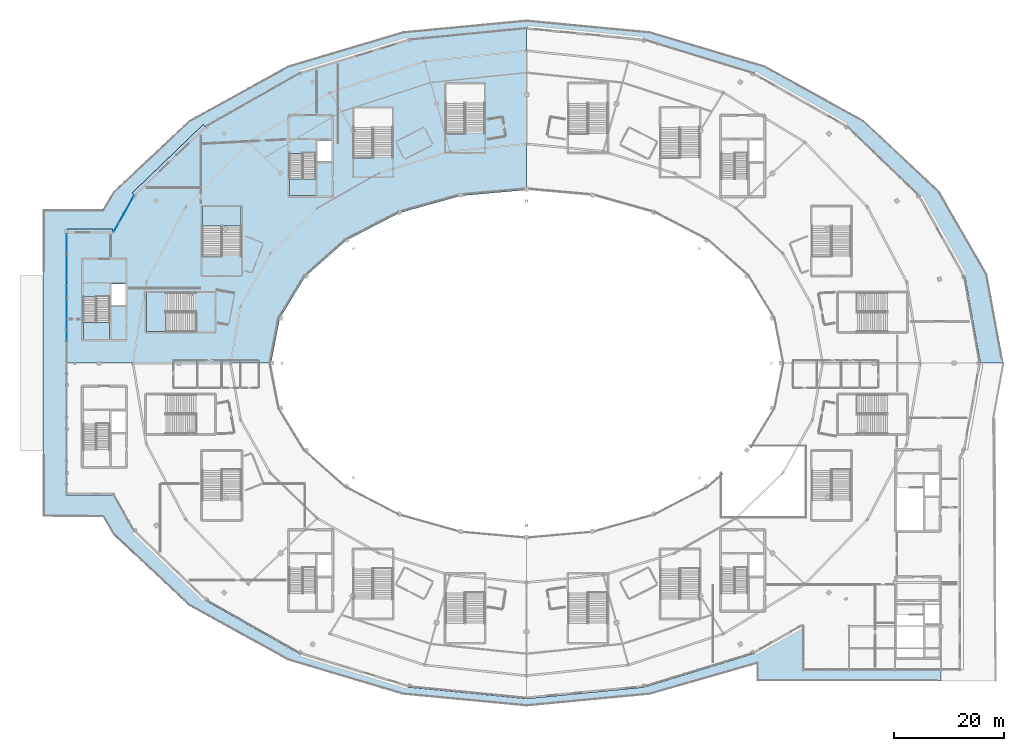
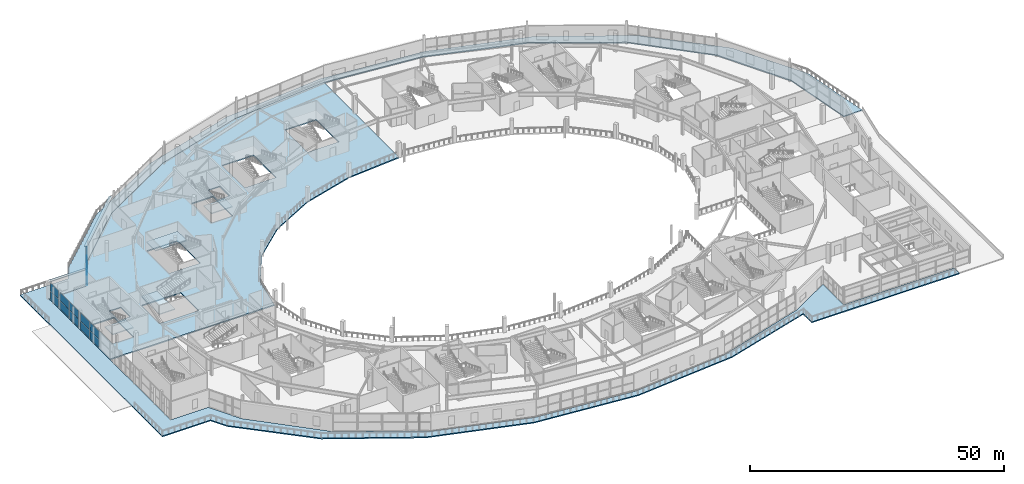
# One storey, part 75 of 123: 16 plates, 6 slabs, 11 elements without a shape of their own.
"""IFC4 building model written with IfcOpenShell, lengths in metres."""

from ifc_helpers import new_model, si_unit, direction, frame, origin, origin_2d, place, context, subcontext, project, spatial, polyline, rectangle, outline, extrude, material, layer, layer_set, type_object, element, aggregate, save


model = new_model("IFC4")

# Units and contexts
model_context = context("Model", 3, precision=1e-05, world=origin(), true_north=direction((0.0, 1.0)))
body_context = subcontext(model_context, "Body", "Model", "MODEL_VIEW")
ifc_project = project(units=[si_unit("LENGTHUNIT", "METRE"), si_unit("AREAUNIT", "SQUARE_METRE"), si_unit("VOLUMEUNIT", "CUBIC_METRE"), si_unit("PLANEANGLEUNIT", "RADIAN"), si_unit("MASSUNIT", "GRAM", prefix="KILO")], contexts=[model_context])

# Site, building, storey
site_placement = place(None, origin())
site = spatial("IfcSite", under=ifc_project, at=site_placement, CompositionType="ELEMENT")
building_placement = place(site_placement, origin())
building = spatial("IfcBuilding", under=site, at=building_placement, Name="Kalgoora Escarpment Arena", CompositionType="ELEMENT")
storey_placement = place(building_placement, frame((0.0, 0.0, 9.89990234375)))
storey = spatial("IfcBuildingStorey", under=building, at=storey_placement, Name="L02", CompositionType="ELEMENT", Elevation=9.89990234375)

# Curtain wall, plates
ifc_material_1 = material(Name=" Champagne anodised aluminium & double-glazed low-E", Category="aluminium")
ifc_layer_1 = layer(ifc_material_1, 0.14990234375)
ifc_layer_set_1 = layer_set([ifc_layer_1], Name="CW-UNIT-05")
curtain_wall_type_1 = type_object("IfcCurtainWallType", Name="CW-UNIT-05", PredefinedType="NOTDEFINED", material=ifc_layer_set_1)
curtain_wall_1_placement = place(storey_placement, origin())
curtain_wall_1 = element("IfcCurtainWall", 1, at=curtain_wall_1_placement, inside=storey, type_object=curtain_wall_type_1, Name="L02 unitised facade curtain wall 064", PredefinedType="NOTDEFINED")
ifc_material_2 = material(Name="Low-E double-glazed insulated glass", Category="glass")
ifc_layer_2 = layer(ifc_material_2, 0.028076171875)
ifc_layer_set_2 = layer_set([ifc_layer_2], Name="PLT-CW-GLAZ-28")
plate_type_1 = type_object("IfcPlateType", Name="PLT-CW-GLAZ-28", PredefinedType="CURTAIN_PANEL", material=ifc_layer_set_2)
plate_1_placement = place(storey_placement, frame((8.52001953125, 70.132080078125, 0.080078125), z_axis=(0.0, 0.0, 1.0), x_axis=(0.0, 1.0, 0.0)))
plate_1 = element("IfcPlate", 2, at=plate_1_placement, type_object=plate_type_1, Name="CW-05 panel 1.1", PredefinedType="CURTAIN_PANEL", context=body_context, shape_type="SweptSolid", body=[
    extrude(rectangle(XDim=3.505859375, YDim=0.028076171875, at=origin_2d()), origin(), (0.0, 0.0, 1.0), 1.985107421875),
])
plate_2_placement = place(storey_placement, frame((8.52001953125, 70.132080078125, 2.125), z_axis=(0.0, 0.0, 1.0), x_axis=(0.0, 1.0, 0.0)))
plate_2 = element("IfcPlate", 3, at=plate_2_placement, type_object=plate_type_1, Name="CW-05 panel 1.2", PredefinedType="CURTAIN_PANEL", context=body_context, shape_type="SweptSolid", body=[
    extrude(rectangle(XDim=3.505859375, YDim=0.028076171875, at=origin_2d()), origin(), (0.0, 0.0, 1.0), 1.965087890625),
])
aggregate(curtain_wall_1, [plate_1, plate_2])

ifc_material_3 = material(Name=" Champagne anodised aluminium & double-glazed low-E", Category="aluminium")
ifc_layer_3 = layer(ifc_material_3, 0.157958984375)
ifc_layer_set_3 = layer_set([ifc_layer_3], Name="CW-UNIT-07")
curtain_wall_type_2 = type_object("IfcCurtainWallType", Name="CW-UNIT-07", PredefinedType="NOTDEFINED", material=ifc_layer_set_3)
curtain_wall_2_placement = place(storey_placement, origin())
curtain_wall_2 = element("IfcCurtainWall", 4, at=curtain_wall_2_placement, inside=storey, type_object=curtain_wall_type_2, Name="L02 unitised facade curtain wall 066", PredefinedType="NOTDEFINED")
plate_3_placement = place(storey_placement, frame((8.52001953125, 78.132080078125, 0.080078125), z_axis=(0.0, 0.0, 1.0), x_axis=(0.0, 1.0, 0.0)))
plate_3 = element("IfcPlate", 5, at=plate_3_placement, type_object=plate_type_1, Name="CW-07 panel 1.1", PredefinedType="CURTAIN_PANEL", context=body_context, shape_type="SweptSolid", body=[
    extrude(rectangle(XDim=3.505859375, YDim=0.028076171875, at=origin_2d()), origin(), (0.0, 0.0, 1.0), 1.985107421875),
])
plate_4_placement = place(storey_placement, frame((8.52001953125, 78.132080078125, 2.125), z_axis=(0.0, 0.0, 1.0), x_axis=(0.0, 1.0, 0.0)))
plate_4 = element("IfcPlate", 6, at=plate_4_placement, type_object=plate_type_1, Name="CW-07 panel 1.2", PredefinedType="CURTAIN_PANEL", context=body_context, shape_type="SweptSolid", body=[
    extrude(rectangle(XDim=3.505859375, YDim=0.028076171875, at=origin_2d()), origin(), (0.0, 0.0, 1.0), 1.965087890625),
])
aggregate(curtain_wall_2, [plate_3, plate_4])

ifc_material_4 = material(Name=" Champagne anodised aluminium & double-glazed low-E", Category="aluminium")
ifc_layer_4 = layer(ifc_material_4, 0.166015625)
ifc_layer_set_4 = layer_set([ifc_layer_4], Name="CW-UNIT-09")
curtain_wall_type_3 = type_object("IfcCurtainWallType", Name="CW-UNIT-09", PredefinedType="NOTDEFINED", material=ifc_layer_set_4)
curtain_wall_3_placement = place(storey_placement, origin())
curtain_wall_3 = element("IfcCurtainWall", 7, at=curtain_wall_3_placement, inside=storey, type_object=curtain_wall_type_3, Name="L02 unitised facade curtain wall 068", PredefinedType="NOTDEFINED")
plate_5_placement = place(storey_placement, frame((8.52001953125, 85.945556640625, 0.080078125), z_axis=(0.0, 0.0, 1.0), x_axis=(0.0, 1.0, 0.0)))
plate_5 = element("IfcPlate", 8, at=plate_5_placement, type_object=plate_type_1, Name="CW-09 panel 1.1", PredefinedType="CURTAIN_PANEL", context=body_context, shape_type="SweptSolid", body=[
    extrude(rectangle(XDim=3.1328125, YDim=0.028076171875, at=origin_2d()), origin(), (0.0, 0.0, 1.0), 1.985107421875),
])
plate_6_placement = place(storey_placement, frame((8.52001953125, 85.945556640625, 2.125), z_axis=(0.0, 0.0, 1.0), x_axis=(0.0, 1.0, 0.0)))
plate_6 = element("IfcPlate", 9, at=plate_6_placement, type_object=plate_type_1, Name="CW-09 panel 1.2", PredefinedType="CURTAIN_PANEL", context=body_context, shape_type="SweptSolid", body=[
    extrude(rectangle(XDim=3.1328125, YDim=0.028076171875, at=origin_2d()), origin(), (0.0, 0.0, 1.0), 1.965087890625),
])
aggregate(curtain_wall_3, [plate_5, plate_6])

ifc_material_5 = material(Name=" Champagne anodised aluminium & double-glazed low-E", Category="aluminium")
ifc_layer_5 = layer(ifc_material_5, 0.154052734375)
ifc_layer_set_5 = layer_set([ifc_layer_5], Name="CW-UNIT-11")
curtain_wall_type_4 = type_object("IfcCurtainWallType", Name="CW-UNIT-11", PredefinedType="NOTDEFINED", material=ifc_layer_set_5)
curtain_wall_4_placement = place(storey_placement, origin())
curtain_wall_4 = element("IfcCurtainWall", 10, at=curtain_wall_4_placement, inside=storey, type_object=curtain_wall_type_4, Name="L02 unitised facade curtain wall 070", PredefinedType="NOTDEFINED")
plate_7_placement = place(storey_placement, frame((19.85693359375, 92.8623046875, 0.0751953125), z_axis=(0.0, 0.0, 1.0), x_axis=(0.488871251019, 0.872355947952, 0.0)))
plate_7 = element("IfcPlate", 11, at=plate_7_placement, type_object=plate_type_1, Name="CW-11 panel 1.1", PredefinedType="CURTAIN_PANEL", context=body_context, shape_type="SweptSolid", body=[
    extrude(rectangle(XDim=3.573974609375, YDim=0.028076171875, at=origin_2d()), origin(), (0.0, 0.0, 1.0), 2.030029296875),
])
plate_8_placement = place(storey_placement, frame((19.85693359375, 92.8623046875, 2.16015625), z_axis=(0.0, 0.0, 1.0), x_axis=(0.488871251019, 0.872355947952, 0.0)))
plate_8 = element("IfcPlate", 12, at=plate_8_placement, type_object=plate_type_1, Name="CW-11 panel 1.2", PredefinedType="CURTAIN_PANEL", context=body_context, shape_type="SweptSolid", body=[
    extrude(rectangle(XDim=3.573974609375, YDim=0.028076171875, at=origin_2d()), origin(), (0.0, 0.0, 1.0), 2.010009765625),
])
aggregate(curtain_wall_4, [plate_7, plate_8])

ifc_material_6 = material(Name=" Champagne anodised aluminium & double-glazed low-E", Category="aluminium")
ifc_layer_6 = layer(ifc_material_6, 0.154052734375)
ifc_layer_set_6 = layer_set([ifc_layer_6], Name="CW-UNIT-06")
curtain_wall_type_5 = type_object("IfcCurtainWallType", Name="CW-UNIT-06", PredefinedType="NOTDEFINED", material=ifc_layer_set_6)
curtain_wall_5_placement = place(storey_placement, origin())
curtain_wall_5 = element("IfcCurtainWall", 13, at=curtain_wall_5_placement, inside=storey, type_object=curtain_wall_type_5, Name="L02 unitised facade curtain wall 065", PredefinedType="NOTDEFINED")
ifc_material_7 = material(Name="Acoustic laminated solar-control glass", Category="glass")
ifc_layer_7 = layer(ifc_material_7, 0.033935546875)
ifc_layer_set_7 = layer_set([ifc_layer_7], Name="PLT-CW-GLAZ-34")
plate_type_2 = type_object("IfcPlateType", Name="PLT-CW-GLAZ-34", PredefinedType="CURTAIN_PANEL", material=ifc_layer_set_7)
plate_9_placement = place(storey_placement, frame((8.52001953125, 73.867919921875, 0.080078125), z_axis=(0.0, 0.0, 1.0), x_axis=(0.0, 1.0, 0.0)))
plate_9 = element("IfcPlate", 14, at=plate_9_placement, type_object=plate_type_2, Name="CW-06 panel 1.1", PredefinedType="CURTAIN_PANEL", context=body_context, shape_type="SweptSolid", body=[
    extrude(rectangle(XDim=3.505859375, YDim=0.033935546875, at=origin_2d()), origin(), (0.0, 0.0, 1.0), 1.985107421875),
])
plate_10_placement = place(storey_placement, frame((8.52001953125, 73.867919921875, 2.125), z_axis=(0.0, 0.0, 1.0), x_axis=(0.0, 1.0, 0.0)))
plate_10 = element("IfcPlate", 15, at=plate_10_placement, type_object=plate_type_2, Name="CW-06 panel 1.2", PredefinedType="CURTAIN_PANEL", context=body_context, shape_type="SweptSolid", body=[
    extrude(rectangle(XDim=3.505859375, YDim=0.033935546875, at=origin_2d()), origin(), (0.0, 0.0, 1.0), 1.965087890625),
])
aggregate(curtain_wall_5, [plate_9, plate_10])

ifc_material_8 = material(Name=" Champagne anodised aluminium & double-glazed low-E", Category="aluminium")
ifc_layer_8 = layer(ifc_material_8, 0.162109375)
ifc_layer_set_8 = layer_set([ifc_layer_8], Name="CW-UNIT-08")
curtain_wall_type_6 = type_object("IfcCurtainWallType", Name="CW-UNIT-08", PredefinedType="NOTDEFINED", material=ifc_layer_set_8)
curtain_wall_6_placement = place(storey_placement, origin())
curtain_wall_6 = element("IfcCurtainWall", 16, at=curtain_wall_6_placement, inside=storey, type_object=curtain_wall_type_6, Name="L02 unitised facade curtain wall 067", PredefinedType="NOTDEFINED")
plate_11_placement = place(storey_placement, frame((8.52001953125, 81.867919921875, 0.080078125), z_axis=(0.0, 0.0, 1.0), x_axis=(0.0, 1.0, 0.0)))
plate_11 = element("IfcPlate", 17, at=plate_11_placement, type_object=plate_type_2, Name="CW-08 panel 1.1", PredefinedType="CURTAIN_PANEL", context=body_context, shape_type="SweptSolid", body=[
    extrude(rectangle(XDim=3.505859375, YDim=0.033935546875, at=origin_2d()), origin(), (0.0, 0.0, 1.0), 1.985107421875),
])
plate_12_placement = place(storey_placement, frame((8.52001953125, 81.867919921875, 2.125), z_axis=(0.0, 0.0, 1.0), x_axis=(0.0, 1.0, 0.0)))
plate_12 = element("IfcPlate", 18, at=plate_12_placement, type_object=plate_type_2, Name="CW-08 panel 1.2", PredefinedType="CURTAIN_PANEL", context=body_context, shape_type="SweptSolid", body=[
    extrude(rectangle(XDim=3.505859375, YDim=0.033935546875, at=origin_2d()), origin(), (0.0, 0.0, 1.0), 1.965087890625),
])
aggregate(curtain_wall_6, [plate_11, plate_12])

ifc_material_9 = material(Name=" Champagne anodised aluminium & double-glazed low-E", Category="aluminium")
ifc_layer_9 = layer(ifc_material_9, 0.14990234375)
ifc_layer_set_9 = layer_set([ifc_layer_9], Name="CW-UNIT-10")
curtain_wall_type_7 = type_object("IfcCurtainWallType", Name="CW-UNIT-10", PredefinedType="NOTDEFINED", material=ifc_layer_set_9)
curtain_wall_7_placement = place(storey_placement, origin())
curtain_wall_7 = element("IfcCurtainWall", 19, at=curtain_wall_7_placement, inside=storey, type_object=curtain_wall_type_7, Name="L02 unitised facade curtain wall 069", PredefinedType="NOTDEFINED")
plate_13_placement = place(storey_placement, frame((18.001953125, 89.552490234375, 0.080078125), z_axis=(0.0, 0.0, 1.0), x_axis=(0.488859706375, 0.872362417509, 0.0)))
plate_13 = element("IfcPlate", 20, at=plate_13_placement, type_object=plate_type_2, Name="CW-10 panel 1.1", PredefinedType="CURTAIN_PANEL", context=body_context, shape_type="SweptSolid", body=[
    extrude(rectangle(XDim=3.564208984375, YDim=0.033935546875, at=origin_2d()), origin(), (0.0, 0.0, 1.0), 2.0224609375),
])
plate_14_placement = place(storey_placement, frame((18.001953125, 89.552490234375, 2.16259765625), z_axis=(0.0, 0.0, 1.0), x_axis=(0.488859706375, 0.872362417509, 0.0)))
plate_14 = element("IfcPlate", 21, at=plate_14_placement, type_object=plate_type_2, Name="CW-10 panel 1.2", PredefinedType="CURTAIN_PANEL", context=body_context, shape_type="SweptSolid", body=[
    extrude(rectangle(XDim=3.564208984375, YDim=0.033935546875, at=origin_2d()), origin(), (0.0, 0.0, 1.0), 2.00244140625),
])
aggregate(curtain_wall_7, [plate_13, plate_14])

# Plates
ifc_material_10 = material(Name="Champagne anodised Art Deco solar brise-soleil hood", Category="aluminium")
ifc_layer_10 = layer(ifc_material_10, 0.1201171875)
ifc_layer_set_10 = layer_set([ifc_layer_10], Name="PLT-DECO-EYEBROW")
plate_type_3 = type_object("IfcPlateType", Name="PLT-DECO-EYEBROW", PredefinedType="SHEET", material=ifc_layer_set_10)
plate_15_placement = place(storey_placement, frame((12.697265625, 88.12255859375, 3.985107421875), z_axis=(0.0, 0.0, 1.0), x_axis=(1.0, 0.0, 0.0)))
element("IfcPlate", 22, at=plate_15_placement, inside=storey, type_object=plate_type_3, Name="L02 Art Deco horizontal solar brise-soleil eyebrow 045", PredefinedType="SHEET", context=body_context, shape_type="SweptSolid", body=[
    extrude(rectangle(XDim=8.2939453125, YDim=0.719970703125, at=origin_2d()), origin(), (0.0, 0.0, 1.0), 0.1201171875),
])
plate_16_placement = place(storey_placement, frame((27.1875, 101.025634765625, 3.985107421875), z_axis=(0.0, 0.0, 1.0), x_axis=(0.720187948577, 0.693779012888, 0.0)))
element("IfcPlate", 23, at=plate_16_placement, inside=storey, type_object=plate_type_3, Name="L02 Art Deco horizontal solar brise-soleil eyebrow 046", PredefinedType="SHEET", context=body_context, shape_type="SweptSolid", body=[
    extrude(rectangle(XDim=17.969970703125, YDim=0.719970703125, at=origin_2d()), origin(), (0.0, 0.0, 1.0), 0.1201171875),
])

# Slab
ifc_material_11 = material(Name="Concrete N40 (fc' 40 MPa)", Category="concrete")
ifc_layer_11 = layer(ifc_material_11, 0.27001953125)
ifc_layer_set_11 = layer_set([ifc_layer_11], Name="SLB-CONC-270")
slab_type_1 = type_object("IfcSlabType", Name="SLB-CONC-270", PredefinedType="FLOOR", material=ifc_layer_set_11)
slab_1_placement = place(storey_placement, frame((0.0, 0.0, -0.27001953125)))
element("IfcSlab", 24, at=slab_1_placement, inside=storey, type_object=slab_type_1, Name="L02 concourse ring NW floor slab", PredefinedType="FLOOR", context=body_context, shape_type="SweptSolid", body=[
    extrude(outline(polyline([(8.39990234375, 88.0), (16.994384765625, 88.0), (20.693115234375, 94.60009765625), (33.8515625, 107.27490234375), (51.0, 117.000732421875), (70.9697265625, 123.11474609375), (92.39990234375, 125.199951171875), (92.39990234375, 95.60009765625), (80.339111328125, 94.523193359375), (69.10009765625, 91.366455078125), (59.44873046875, 86.344482421875), (52.043212890625, 79.800048828125), (47.387939453125, 72.1787109375), (45.800048828125, 64.0), (8.39990234375, 64.0), (8.39990234375, 88.0)]), holes=[polyline([(16.35009765625, 76.050048828125), (11.550048828125, 76.050048828125), (11.550048828125, 68.35009765625), (16.35009765625, 68.35009765625), (16.35009765625, 76.050048828125)]), polyline([(31.949951171875, 76.85009765625), (23.050048828125, 76.85009765625), (23.050048828125, 69.75), (31.949951171875, 69.75), (31.949951171875, 76.85009765625)]), polyline([(19.25, 78.39990234375), (16.64990234375, 78.39990234375), (16.64990234375, 74.60009765625), (19.25, 74.60009765625), (19.25, 78.39990234375)]), polyline([(40.35009765625, 92.550048828125), (33.25, 92.550048828125), (33.25, 83.64990234375), (40.35009765625, 83.64990234375), (40.35009765625, 92.550048828125)]), polyline([(53.949951171875, 102.25), (49.14990234375, 102.25), (49.14990234375, 94.550048828125), (53.949951171875, 94.550048828125), (53.949951171875, 102.25)]), polyline([(56.85009765625, 104.60009765625), (54.25, 104.60009765625), (54.25, 100.800048828125), (56.85009765625, 100.800048828125), (56.85009765625, 104.60009765625)]), polyline([(67.949951171875, 110.550048828125), (60.85009765625, 110.550048828125), (60.85009765625, 101.64990234375), (67.949951171875, 101.64990234375), (67.949951171875, 110.550048828125)]), polyline([(84.75, 114.949951171875), (77.64990234375, 114.949951171875), (77.64990234375, 106.050048828125), (84.75, 106.050048828125), (84.75, 114.949951171875)])]), origin(), (0.0, 0.0, 1.0), 0.27001953125),
])

# Stair, slab
ifc_material_12 = material(Name="Concrete N40 (fc' 40 MPa)", Category="concrete")
stair_type_1 = type_object("IfcStairType", Name="STR-EXIT-1", PredefinedType="HALF_TURN_STAIR", material=ifc_material_12)
stair_1_placement = place(storey_placement, origin())
stair_1 = element("IfcStair", 25, at=stair_1_placement, inside=storey, type_object=stair_type_1, Name="Fire-isolated exit stair ST01 (L02)", PredefinedType="HALF_TURN_STAIR")
ifc_material_13 = material(Name="Concrete N40 (fc' 40 MPa)", Category="concrete")
ifc_layer_12 = layer(ifc_material_13, 0.219970703125)
ifc_layer_set_12 = layer_set([ifc_layer_12], Name="SLB-ST-LAND-220")
slab_type_2 = type_object("IfcSlabType", Name="SLB-ST-LAND-220", PredefinedType="LANDING", material=ifc_layer_set_12)
slab_2_placement = place(storey_placement, frame((0.0, 0.0, 2.030029296875)))
slab_2 = element("IfcSlab", 26, at=slab_2_placement, type_object=slab_type_2, Name="ST01 L02 half-landing", PredefinedType="LANDING", context=body_context, shape_type="SweptSolid", body=[
    extrude(outline(polyline([(16.35009765625, 71.43994140625), (16.35009765625, 68.35009765625), (11.550048828125, 68.35009765625), (11.550048828125, 71.43994140625), (16.35009765625, 71.43994140625)])), origin(), (0.0, 0.0, 1.0), 0.219970703125),
])
aggregate(stair_1, [slab_2])

ifc_material_14 = material(Name="Concrete N40 (fc' 40 MPa)", Category="concrete")
stair_type_2 = type_object("IfcStairType", Name="STR-EXIT-3", PredefinedType="HALF_TURN_STAIR", material=ifc_material_14)
stair_2_placement = place(storey_placement, origin())
stair_2 = element("IfcStair", 27, at=stair_2_placement, inside=storey, type_object=stair_type_2, Name="Fire-isolated exit stair ST03 (L02)", PredefinedType="HALF_TURN_STAIR")
slab_3_placement = place(storey_placement, frame((0.0, 0.0, 2.030029296875)))
slab_3 = element("IfcSlab", 28, at=slab_3_placement, type_object=slab_type_2, Name="ST03 L02 half-landing", PredefinedType="LANDING", context=body_context, shape_type="SweptSolid", body=[
    extrude(outline(polyline([(53.949951171875, 97.639892578125), (53.949951171875, 94.550048828125), (49.14990234375, 94.550048828125), (49.14990234375, 97.639892578125), (53.949951171875, 97.639892578125)])), origin(), (0.0, 0.0, 1.0), 0.219970703125),
])
aggregate(stair_2, [slab_3])

ifc_material_15 = material(Name="Precast concrete N50 (fc' 50 MPa)", Category="concrete")
stair_type_3 = type_object("IfcStairType", Name="STR-STAD-1", PredefinedType="HALF_TURN_STAIR", material=ifc_material_15)
stair_3_placement = place(storey_placement, origin())
stair_3 = element("IfcStair", 29, at=stair_3_placement, inside=storey, type_object=stair_type_3, Name="Fire-isolated exit stair ST17 (L02)", PredefinedType="HALF_TURN_STAIR")
slab_4_placement = place(storey_placement, frame((0.0, 0.0, 2.030029296875)))
slab_4 = element("IfcSlab", 30, at=slab_4_placement, type_object=slab_type_2, Name="ST17 L02 half-landing", PredefinedType="LANDING", context=body_context, shape_type="SweptSolid", body=[
    extrude(outline(polyline([(26.60009765625, 69.75), (23.050048828125, 69.75), (23.050048828125, 76.85009765625), (26.60009765625, 76.85009765625), (26.60009765625, 69.75)])), origin(), (0.0, 0.0, 1.0), 0.219970703125),
])
aggregate(stair_3, [slab_4])

ifc_material_16 = material(Name="Precast concrete N50 (fc' 50 MPa)", Category="concrete")
stair_type_4 = type_object("IfcStairType", Name="STR-STAD-3", PredefinedType="HALF_TURN_STAIR", material=ifc_material_16)
stair_4_placement = place(storey_placement, origin())
stair_4 = element("IfcStair", 31, at=stair_4_placement, inside=storey, type_object=stair_type_4, Name="Fire-isolated exit stair ST19 (L02)", PredefinedType="HALF_TURN_STAIR")
slab_5_placement = place(storey_placement, frame((0.0, 0.0, 2.030029296875)))
slab_5 = element("IfcSlab", 32, at=slab_5_placement, type_object=slab_type_2, Name="ST19 L02 half-landing", PredefinedType="LANDING", context=body_context, shape_type="SweptSolid", body=[
    extrude(outline(polyline([(33.25, 89.0), (33.25, 92.550048828125), (40.35009765625, 92.550048828125), (40.35009765625, 89.0), (33.25, 89.0)])), origin(), (0.0, 0.0, 1.0), 0.219970703125),
])
aggregate(stair_4, [slab_5])

# Slab
ifc_material_17 = material(Name="Concrete N40 (fc' 40 MPa)", Category="concrete")
ifc_layer_13 = layer(ifc_material_17, 0.25)
ifc_layer_set_13 = layer_set([ifc_layer_13], Name="SLB-TERR-250")
slab_type_3 = type_object("IfcSlabType", Name="SLB-TERR-250", PredefinedType="FLOOR", material=ifc_layer_set_13)
slab_6_placement = place(storey_placement, frame((0.0, 0.0, -0.25)))
element("IfcSlab", 33, at=slab_6_placement, inside=storey, type_object=slab_type_3, Name="L02 Middle Planted Elliptical Garden Promenade terrace slab", PredefinedType="FLOOR", context=body_context, shape_type="SweptSolid", body=[
    extrude(outline(polyline([(69.8828125, 3.532958984375), (48.89990234375, 9.786865234375), (30.881591796875, 19.735107421875), (17.055908203125, 32.699951171875), (15.156005859375, 36.0), (4.199951171875, 36.0), (4.199951171875, 92.0), (15.156005859375, 92.0), (17.055908203125, 95.300048828125), (30.881591796875, 108.264892578125), (48.89990234375, 118.213134765625), (69.8828125, 124.467041015625), (92.39990234375, 126.60009765625), (114.917236328125, 124.467041015625), (135.89990234375, 118.213134765625), (153.918212890625, 108.264892578125), (167.744140625, 95.300048828125), (176.435546875, 80.2021484375), (179.39990234375, 64.0), (175.199951171875, 64.0), (172.378662109375, 79.839599609375), (164.10693359375, 94.60009765625), (150.948486328125, 107.27490234375), (133.800048828125, 117.000732421875), (113.830078125, 123.11474609375), (92.39990234375, 125.199951171875), (70.9697265625, 123.11474609375), (51.0, 117.000732421875), (33.8515625, 107.27490234375), (20.693115234375, 94.60009765625), (16.994384765625, 88.0), (8.39990234375, 88.0), (8.39990234375, 40.0), (16.994384765625, 40.0), (20.693115234375, 33.39990234375), (33.8515625, 20.72509765625), (51.0, 10.999267578125), (70.9697265625, 4.88525390625), (92.39990234375, 2.800048828125), (113.830078125, 4.88525390625), (133.800048828125, 10.999267578125), (142.800048828125, 16.103515625), (142.800048828125, 8.0), (168.0, 8.0), (168.0, 6.0), (134.39990234375, 6.0), (134.39990234375, 9.339599609375), (114.917236328125, 3.532958984375), (92.39990234375, 1.39990234375), (69.8828125, 3.532958984375)])), origin(), (0.0, 0.0, 1.0), 0.25),
])

save(model, "model.ifc")
